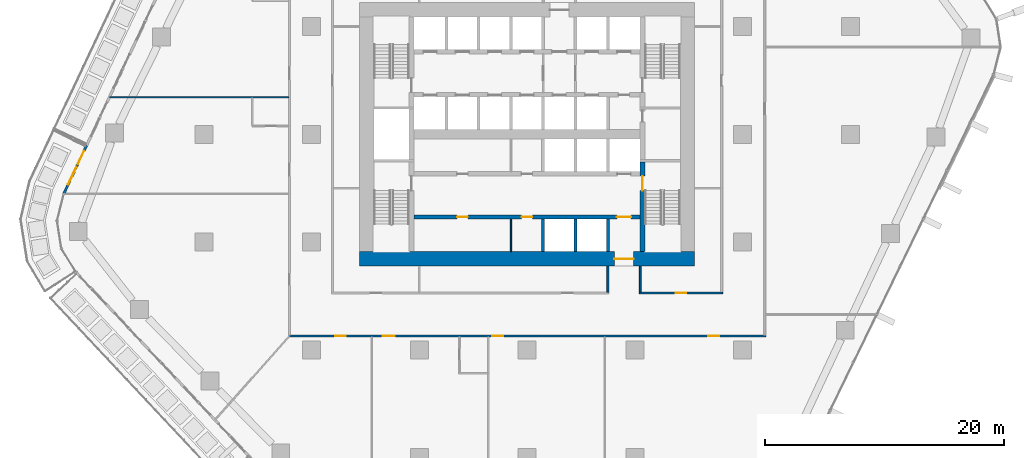
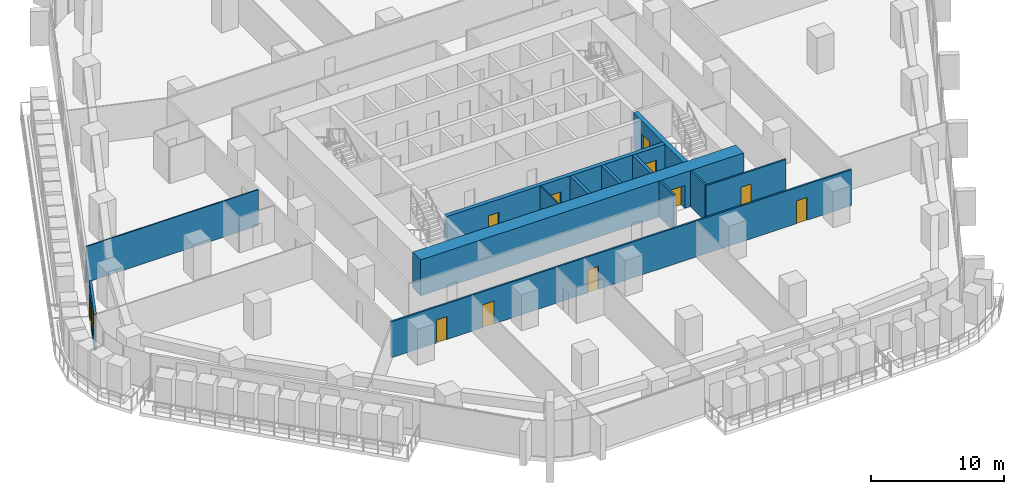
# One storey, part 14 of 25: 13 walls, 11 doors, 1 window, 12 openings.
"""IFC4 building model written with IfcOpenShell, lengths in metres."""

from ifc_helpers import new_model, si_unit, direction, frame, frame_2d, origin, place, context, subcontext, project, spatial, rectangle, extrude, material, layer, layer_set, type_object, element, fill, save


model = new_model("IFC4")

# Units and contexts
model_context = context("Model", 3, precision=1e-05, world=origin(), true_north=direction((0.0, 1.0)))
body_context = subcontext(model_context, "Body", "Model", "MODEL_VIEW")
ifc_project = project(units=[si_unit("LENGTHUNIT", "METRE"), si_unit("AREAUNIT", "SQUARE_METRE"), si_unit("VOLUMEUNIT", "CUBIC_METRE"), si_unit("PLANEANGLEUNIT", "RADIAN"), si_unit("MASSUNIT", "GRAM", prefix="KILO")], contexts=[model_context])

# Site, building, storey
site_placement = place(None, origin())
site = spatial("IfcSite", under=ifc_project, at=site_placement, CompositionType="ELEMENT")
building_placement = place(site_placement, origin())
building = spatial("IfcBuilding", under=site, at=building_placement, Name="Dongbaek Canopy Tower", CompositionType="ELEMENT")
storey_placement = place(building_placement, frame((0.0, 0.0, 77.300048828125)))
storey = spatial("IfcBuildingStorey", under=building, at=storey_placement, Name="L15", CompositionType="ELEMENT", Elevation=77.300048828125)

# Wall, openings, doors
ifc_material_1 = material(Name="Concrete C60/75", Category="concrete")
ifc_layer_1 = layer(ifc_material_1, 0.35009765625)
ifc_layer_set_1 = layer_set([ifc_layer_1], Name="Core lobby wall 350 Concrete C60/75")
wall_type_1 = type_object("IfcWallType", Name="Core lobby wall 350 Concrete C60/75", PredefinedType="SHEAR", material=ifc_layer_set_1)
wall_1_placement = place(storey_placement, frame((9.449951171875, -6.89990234375, 0.0), z_axis=(0.0, 0.0, 1.0), x_axis=(-1.0, 0.0, 0.0)))
wall_1 = element("IfcWall", 1, at=wall_1_placement, inside=storey, type_object=wall_type_1, Name="Core wall", PredefinedType="SHEAR", context=body_context, shape_type="SweptSolid", body=[
    extrude(rectangle(XDim=18.89990234375, YDim=0.35009765625, at=frame_2d((9.449951171875, 0.0))), origin(), (0.0, 0.0, 1.0), 3.300048828125),
])
opening_1_placement = place(wall_1_placement, frame((0.75, 0.0, 0.0)))
opening_1 = element("IfcOpeningElement", 2, at=opening_1_placement, cuts=wall_1, Name="Opening L15-D040", PredefinedType="OPENING", context=body_context, shape_type="SweptSolid", body=[
    extrude(rectangle(XDim=1.199951171875, YDim=2.10009765625, at=frame_2d((0.60009765625, 1.050048828125))), frame((0.0, 0.18505859375, 0.0), z_axis=(0.0, -1.0, 0.0), x_axis=(1.0, 0.0, 0.0)), (0.0, 0.0, 1.0), 0.3701171875),
])
opening_2_placement = place(wall_1_placement, frame((14.39990234375, 0.0, 0.0)))
opening_2 = element("IfcOpeningElement", 3, at=opening_2_placement, cuts=wall_1, Name="Opening L15-D043", PredefinedType="OPENING", context=body_context, shape_type="SweptSolid", body=[
    extrude(rectangle(XDim=0.89990234375, YDim=2.10009765625, at=frame_2d((0.449951171875, 1.050048828125))), frame((0.0, 0.18505859375, 0.0), z_axis=(0.0, -1.0, 0.0), x_axis=(1.0, 0.0, 0.0)), (0.0, 0.0, 1.0), 0.3701171875),
])
opening_3_placement = place(wall_1_placement, frame((9.0, 0.0, 0.0)))
opening_3 = element("IfcOpeningElement", 4, at=opening_3_placement, cuts=wall_1, Name="Opening L15-D044", PredefinedType="OPENING", context=body_context, shape_type="SweptSolid", body=[
    extrude(rectangle(XDim=0.89990234375, YDim=2.10009765625, at=frame_2d((0.449951171875, 1.050048828125))), frame((0.0, 0.18505859375, 0.0), z_axis=(0.0, -1.0, 0.0), x_axis=(1.0, 0.0, 0.0)), (0.0, 0.0, 1.0), 0.3701171875),
])
ifc_material_2 = material(Name="Steel", Category="steel")
door_type_1 = type_object("IfcDoorType", Name="Core room door 900 x 2100", OperationType="SINGLE_SWING_LEFT", PredefinedType="DOOR", material=ifc_material_2)
door_1_placement = place(opening_2_placement, origin())
door_1 = element("IfcDoor", 5, at=door_1_placement, inside=storey, type_object=door_type_1, Name="Door L15-D043", OperationType="SINGLE_SWING_RIGHT", OverallHeight=2.10009765625, OverallWidth=0.89990234375, PredefinedType="DOOR", context=body_context, shape_type="SweptSolid", body=[
    extrude(rectangle(XDim=0.89990234375, YDim=2.10009765625, at=frame_2d((0.449951171875, 1.050048828125))), frame((0.0, 0.02490234375, 0.0), z_axis=(0.0, -1.0, 0.0), x_axis=(1.0, 0.0, 0.0)), (0.0, 0.0, 1.0), 0.050048828125),
])
fill(opening_2, door_1)
door_2_placement = place(opening_3_placement, origin())
door_2 = element("IfcDoor", 6, at=door_2_placement, inside=storey, type_object=door_type_1, Name="Door L15-D044", OperationType="SINGLE_SWING_LEFT", OverallHeight=2.10009765625, OverallWidth=0.89990234375, PredefinedType="DOOR", context=body_context, shape_type="SweptSolid", body=[
    extrude(rectangle(XDim=0.89990234375, YDim=2.10009765625, at=frame_2d((0.449951171875, 1.050048828125))), frame((0.0, 0.02490234375, 0.0), z_axis=(0.0, -1.0, 0.0), x_axis=(1.0, 0.0, 0.0)), (0.0, 0.0, 1.0), 0.050048828125),
])
fill(opening_3, door_2)
ifc_material_3 = material(Name="Steel", Category="steel")
door_type_2 = type_object("IfcDoorType", Name="Fire lobby door 1200 x 2100", OperationType="SINGLE_SWING_LEFT", PredefinedType="DOOR", material=ifc_material_3)
door_3_placement = place(opening_1_placement, origin())
door_3 = element("IfcDoor", 7, at=door_3_placement, inside=storey, type_object=door_type_2, Name="Door L15-D040", OperationType="SINGLE_SWING_LEFT", OverallHeight=2.10009765625, OverallWidth=1.199951171875, PredefinedType="DOOR", context=body_context, shape_type="SweptSolid", body=[
    extrude(rectangle(XDim=1.199951171875, YDim=2.10009765625, at=frame_2d((0.60009765625, 1.050048828125))), frame((0.0, 0.02490234375, 0.0), z_axis=(0.0, -1.0, 0.0), x_axis=(1.0, 0.0, 0.0)), (0.0, 0.0, 1.0), 0.050048828125),
])
fill(opening_1, door_3)

# Wall, opening, door
ifc_material_4 = material(Name="Concrete C60/75", Category="concrete")
ifc_layer_2 = layer(ifc_material_4, 1.199951171875)
ifc_layer_set_2 = layer_set([ifc_layer_2], Name="Core outer wall 1200 Concrete C60/75")
wall_type_2 = type_object("IfcWallType", Name="Core outer wall 1200 Concrete C60/75", PredefinedType="SHEAR", material=ifc_layer_set_2)
wall_2_placement = place(storey_placement, frame((14.0, -10.39990234375, 0.0), z_axis=(0.0, 0.0, 1.0), x_axis=(-1.0, 0.0, 0.0)))
wall_2 = element("IfcWall", 8, at=wall_2_placement, inside=storey, type_object=wall_type_2, Name="Core wall", PredefinedType="SHEAR", context=body_context, shape_type="SweptSolid", body=[
    extrude(rectangle(XDim=28.0, YDim=1.199951171875, at=frame_2d((14.0, 0.0))), origin(), (0.0, 0.0, 1.0), 3.300048828125),
])
opening_4_placement = place(wall_2_placement, frame((5.10009765625, 0.0, 0.0)))
opening_4 = element("IfcOpeningElement", 9, at=opening_4_placement, cuts=wall_2, Name="Opening L15-D039", PredefinedType="OPENING", context=body_context, shape_type="SweptSolid", body=[
    extrude(rectangle(XDim=1.60009765625, YDim=2.10009765625, at=frame_2d((0.800048828125, 1.050048828125))), frame((0.0, 0.60986328125, 0.0), z_axis=(0.0, -1.0, 0.0), x_axis=(1.0, 0.0, 0.0)), (0.0, 0.0, 1.0), 1.219970703125),
])
ifc_material_5 = material(Name="Steel", Category="steel")
door_type_3 = type_object("IfcDoorType", Name="Core exit door 1600 x 2100", OperationType="DOUBLE_DOOR_SINGLE_SWING", PredefinedType="DOOR", material=ifc_material_5)
door_4_placement = place(opening_4_placement, origin())
door_4 = element("IfcDoor", 10, at=door_4_placement, inside=storey, type_object=door_type_3, Name="Core exit door", OperationType="DOUBLE_DOOR_SINGLE_SWING", OverallHeight=2.10009765625, OverallWidth=1.60009765625, PredefinedType="DOOR", context=body_context, shape_type="SweptSolid", body=[
    extrude(rectangle(XDim=1.60009765625, YDim=2.10009765625, at=frame_2d((0.800048828125, 1.050048828125))), frame((0.0, 0.02490234375, 0.0), z_axis=(0.0, -1.0, 0.0), x_axis=(1.0, 0.0, 0.0)), (0.0, 0.0, 1.0), 0.050048828125),
])
fill(opening_4, door_4)

# Wall, openings, doors
ifc_material_6 = material(Name="Gypsum board partition, steel stud, 2 x 15 mm fire board", Category="steel")
ifc_layer_3 = layer(ifc_material_6, 0.14990234375)
ifc_layer_set_3 = layer_set([ifc_layer_3], Name="Fire-rated partition 150 gypsum board")
wall_type_3 = type_object("IfcWallType", Name="Fire-rated partition 150 gypsum board", PredefinedType="PARTITIONING", material=ifc_layer_set_3)
wall_3_placement = place(storey_placement, frame((19.925048828125, -16.85009765625, 0.0), z_axis=(0.0, 0.0, 1.0), x_axis=(-1.0, 0.0, 0.0)))
wall_3 = element("IfcWall", 11, at=wall_3_placement, inside=storey, type_object=wall_type_3, Name="Corridor partition", PredefinedType="PARTITIONING", context=body_context, shape_type="SweptSolid", body=[
    extrude(rectangle(XDim=39.85009765625, YDim=0.14990234375, at=frame_2d((19.925048828125, 0.0))), origin(), (0.0, 0.0, 1.0), 3.300048828125),
])
opening_5_placement = place(wall_3_placement, frame((35.059814453125, 0.0, 0.0)))
opening_5 = element("IfcOpeningElement", 12, at=opening_5_placement, cuts=wall_3, Name="Opening L15-D004", PredefinedType="OPENING", context=body_context, shape_type="SweptSolid", body=[
    extrude(rectangle(XDim=0.89990234375, YDim=2.10009765625, at=frame_2d((0.449951171875, 1.050048828125))), frame((0.0, 0.0849609375, 0.0), z_axis=(0.0, -1.0, 0.0), x_axis=(1.0, 0.0, 0.0)), (0.0, 0.0, 1.0), 0.169921875),
])
opening_6_placement = place(wall_3_placement, frame((30.96728515625, 0.0, 0.0)))
opening_6 = element("IfcOpeningElement", 13, at=opening_6_placement, cuts=wall_3, Name="Opening L15-D006", PredefinedType="OPENING", context=body_context, shape_type="SweptSolid", body=[
    extrude(rectangle(XDim=1.0, YDim=2.10009765625, at=frame_2d((0.5, 1.050048828125))), frame((0.0, 0.0849609375, 0.0), z_axis=(0.0, -1.0, 0.0), x_axis=(1.0, 0.0, 0.0)), (0.0, 0.0, 1.0), 0.169921875),
])
opening_7_placement = place(wall_3_placement, frame((21.93359375, 0.0, 0.0)))
opening_7 = element("IfcOpeningElement", 14, at=opening_7_placement, cuts=wall_3, Name="Opening L15-D007", PredefinedType="OPENING", context=body_context, shape_type="SweptSolid", body=[
    extrude(rectangle(XDim=0.89990234375, YDim=2.10009765625, at=frame_2d((0.449951171875, 1.050048828125))), frame((0.0, 0.0849609375, 0.0), z_axis=(0.0, -1.0, 0.0), x_axis=(1.0, 0.0, 0.0)), (0.0, 0.0, 1.0), 0.169921875),
])
opening_8_placement = place(wall_3_placement, frame((3.878662109375, 0.0, 0.0)))
opening_8 = element("IfcOpeningElement", 15, at=opening_8_placement, cuts=wall_3, Name="Opening L15-D008", PredefinedType="OPENING", context=body_context, shape_type="SweptSolid", body=[
    extrude(rectangle(XDim=0.89990234375, YDim=2.10009765625, at=frame_2d((0.449951171875, 1.050048828125))), frame((0.0, 0.0849609375, 0.0), z_axis=(0.0, -1.0, 0.0), x_axis=(1.0, 0.0, 0.0)), (0.0, 0.0, 1.0), 0.169921875),
])
ifc_material_7 = material(Name="Timber veneered door leaf", Category="wood")
door_type_4 = type_object("IfcDoorType", Name="Guest room door 1000 x 2100", OperationType="SINGLE_SWING_LEFT", PredefinedType="DOOR", material=ifc_material_7)
door_5_placement = place(opening_6_placement, origin())
door_5 = element("IfcDoor", 16, at=door_5_placement, inside=storey, type_object=door_type_4, Name="Door L15-D006", OperationType="SINGLE_SWING_LEFT", OverallHeight=2.10009765625, OverallWidth=1.0, PredefinedType="DOOR", context=body_context, shape_type="SweptSolid", body=[
    extrude(rectangle(XDim=1.0, YDim=2.10009765625, at=frame_2d((0.5, 1.050048828125))), frame((0.0, 0.02490234375, 0.0), z_axis=(0.0, -1.0, 0.0), x_axis=(1.0, 0.0, 0.0)), (0.0, 0.0, 1.0), 0.050048828125),
])
fill(opening_6, door_5)
ifc_material_8 = material(Name="Timber veneered door leaf", Category="wood")
door_type_5 = type_object("IfcDoorType", Name="Room door 900 x 2100", OperationType="SINGLE_SWING_LEFT", PredefinedType="DOOR", material=ifc_material_8)
door_6_placement = place(opening_5_placement, origin())
door_6 = element("IfcDoor", 17, at=door_6_placement, inside=storey, type_object=door_type_5, Name="Door L15-D004", OperationType="SINGLE_SWING_RIGHT", OverallHeight=2.10009765625, OverallWidth=0.89990234375, PredefinedType="DOOR", context=body_context, shape_type="SweptSolid", body=[
    extrude(rectangle(XDim=0.89990234375, YDim=2.10009765625, at=frame_2d((0.449951171875, 1.050048828125))), frame((0.0, 0.02490234375, 0.0), z_axis=(0.0, -1.0, 0.0), x_axis=(1.0, 0.0, 0.0)), (0.0, 0.0, 1.0), 0.050048828125),
])
fill(opening_5, door_6)
door_7_placement = place(opening_7_placement, origin())
door_7 = element("IfcDoor", 18, at=door_7_placement, inside=storey, type_object=door_type_5, Name="Door L15-D007", OperationType="SINGLE_SWING_RIGHT", OverallHeight=2.10009765625, OverallWidth=0.89990234375, PredefinedType="DOOR", context=body_context, shape_type="SweptSolid", body=[
    extrude(rectangle(XDim=0.89990234375, YDim=2.10009765625, at=frame_2d((0.449951171875, 1.050048828125))), frame((0.0, 0.02490234375, 0.0), z_axis=(0.0, -1.0, 0.0), x_axis=(1.0, 0.0, 0.0)), (0.0, 0.0, 1.0), 0.050048828125),
])
fill(opening_7, door_7)
door_8_placement = place(opening_8_placement, origin())
door_8 = element("IfcDoor", 19, at=door_8_placement, inside=storey, type_object=door_type_5, Name="Door L15-D008", OperationType="SINGLE_SWING_LEFT", OverallHeight=2.10009765625, OverallWidth=0.89990234375, PredefinedType="DOOR", context=body_context, shape_type="SweptSolid", body=[
    extrude(rectangle(XDim=0.89990234375, YDim=2.10009765625, at=frame_2d((0.449951171875, 1.050048828125))), frame((0.0, 0.02490234375, 0.0), z_axis=(0.0, -1.0, 0.0), x_axis=(1.0, 0.0, 0.0)), (0.0, 0.0, 1.0), 0.050048828125),
])
fill(opening_8, door_8)

# Wall, opening, door
wall_4_placement = place(storey_placement, frame((9.375, -13.25, 0.0), z_axis=(0.0, 0.0, 1.0), x_axis=(1.0, 0.0, 0.0)))
wall_4 = element("IfcWall", 20, at=wall_4_placement, inside=storey, type_object=wall_type_3, Name="Corridor partition", PredefinedType="PARTITIONING", context=body_context, shape_type="SweptSolid", body=[
    extrude(rectangle(XDim=6.949951171875, YDim=0.14990234375, at=frame_2d((3.47509765625, 0.0))), origin(), (0.0, 0.0, 1.0), 3.300048828125),
])
opening_9_placement = place(wall_4_placement, frame((3.02490234375, 0.0, 0.0)))
opening_9 = element("IfcOpeningElement", 21, at=opening_9_placement, cuts=wall_4, Name="Opening L15-D016", PredefinedType="OPENING", context=body_context, shape_type="SweptSolid", body=[
    extrude(rectangle(XDim=0.89990234375, YDim=2.10009765625, at=frame_2d((0.449951171875, 1.050048828125))), frame((0.0, 0.0849609375, 0.0), z_axis=(0.0, -1.0, 0.0), x_axis=(1.0, 0.0, 0.0)), (0.0, 0.0, 1.0), 0.169921875),
])
door_9_placement = place(opening_9_placement, origin())
door_9 = element("IfcDoor", 22, at=door_9_placement, inside=storey, type_object=door_type_5, Name="Door L15-D016", OperationType="SINGLE_SWING_RIGHT", OverallHeight=2.10009765625, OverallWidth=0.89990234375, PredefinedType="DOOR", context=body_context, shape_type="SweptSolid", body=[
    extrude(rectangle(XDim=0.89990234375, YDim=2.10009765625, at=frame_2d((0.449951171875, 1.050048828125))), frame((0.0, 0.02490234375, 0.0), z_axis=(0.0, -1.0, 0.0), x_axis=(1.0, 0.0, 0.0)), (0.0, 0.0, 1.0), 0.050048828125),
])
fill(opening_9, door_9)

# Walls
for number, where, z_axis, x_axis, name in (
    (23, (9.449951171875, -13.175048828125, 0.0), (0.0, 0.0, 1.0), (0.0, 1.0, 0.0), "Corridor partition"),
    (24, (6.75, -13.175048828125, 0.0), (0.0, 0.0, 1.0), (0.0, 1.0, 0.0), "Corridor partition"),
):
    element("IfcWall", number, at=place(storey_placement, frame(where, z_axis=z_axis, x_axis=x_axis)), inside=storey, type_object=wall_type_3, Name=name, PredefinedType="PARTITIONING", context=body_context, shape_type="SweptSolid", body=[
        extrude(rectangle(XDim=2.175048828125, YDim=0.14990234375, at=frame_2d((1.08740234375, 0.0))), origin(), (0.0, 0.0, 1.0), 3.300048828125),
    ])
ifc_material_9 = material(Name="Concrete C40/50", Category="concrete")
ifc_layer_4 = layer(ifc_material_9, 0.25)
ifc_layer_set_4 = layer_set([ifc_layer_4], Name="Lift shaft wall 250 Concrete C40/50")
wall_type_4 = type_object("IfcWallType", Name="Lift shaft wall 250 Concrete C40/50", PredefinedType="SOLIDWALL", material=ifc_layer_set_4)
for number, where, z_axis, x_axis, name in (
    (25, (6.75, -9.800048828125, 0.0), (0.0, 0.0, 1.0), (0.0, 1.0, 0.0), "Lift shaft wall"),
    (26, (4.050048828125, -9.800048828125, 0.0), (0.0, 0.0, 1.0), (0.0, 1.0, 0.0), "Lift shaft wall"),
    (27, (1.35009765625, -9.800048828125, 0.0), (0.0, 0.0, 1.0), (0.0, 1.0, 0.0), "Lift shaft wall"),
):
    element("IfcWall", number, at=place(storey_placement, frame(where, z_axis=z_axis, x_axis=x_axis)), inside=storey, type_object=wall_type_4, Name=name, PredefinedType="SOLIDWALL", context=body_context, shape_type="SweptSolid", body=[
        extrude(rectangle(XDim=2.72509765625, YDim=0.25, at=frame_2d((1.362548828125, 0.0))), origin(), (0.0, 0.0, 1.0), 3.300048828125),
    ])
ifc_material_10 = material(Name="Gypsum board partition, steel stud, 2 x 12.5 mm board", Category="steel")
ifc_layer_5 = layer(ifc_material_10, 0.10009765625)
ifc_layer_set_5 = layer_set([ifc_layer_5], Name="Partition 100 gypsum board")
wall_type_5 = type_object("IfcWallType", Name="Partition 100 gypsum board", PredefinedType="PARTITIONING", material=ifc_layer_set_5)
wall_5_placement = place(storey_placement, frame((-34.86767578125, 3.097900390625, 0.0), z_axis=(0.0, 0.0, 1.0), x_axis=(1.0, 0.0, 0.0)))
element("IfcWall", 28, at=wall_5_placement, inside=storey, type_object=wall_type_5, Name="Partition", PredefinedType="PARTITIONING", context=body_context, shape_type="SweptSolid", body=[
    extrude(rectangle(XDim=14.942626953125, YDim=0.10009765625, at=frame_2d((7.47119140625, 0.0))), origin(), (0.0, 0.0, 1.0), 3.300048828125),
])
wall_6_placement = place(storey_placement, frame((-1.35009765625, -9.800048828125, 0.0), z_axis=(0.0, 0.0, 1.0), x_axis=(0.0, 1.0, 0.0)))
element("IfcWall", 29, at=wall_6_placement, inside=storey, type_object=wall_type_5, Name="Core partition", PredefinedType="PARTITIONING", context=body_context, shape_type="SweptSolid", body=[
    extrude(rectangle(XDim=2.72509765625, YDim=0.10009765625, at=frame_2d((1.362548828125, 0.0))), origin(), (0.0, 0.0, 1.0), 3.300048828125),
])

# Wall, opening, door
ifc_material_11 = material(Name="Concrete C60/75", Category="concrete")
ifc_layer_6 = layer(ifc_material_11, 0.39990234375)
ifc_layer_set_6 = layer_set([ifc_layer_6], Name="Stair wall 400 Concrete C60/75")
wall_type_6 = type_object("IfcWallType", Name="Stair wall 400 Concrete C60/75", PredefinedType="SHEAR", material=ifc_layer_set_6)
wall_7_placement = place(storey_placement, frame((9.64990234375, -2.300048828125, 0.0), z_axis=(0.0, 0.0, 1.0), x_axis=(0.0, -1.0, 0.0)))
wall_7 = element("IfcWall", 30, at=wall_7_placement, inside=storey, type_object=wall_type_6, Name="Stair wall", PredefinedType="SHEAR", context=body_context, shape_type="SweptSolid", body=[
    extrude(rectangle(XDim=7.5, YDim=0.39990234375, at=frame_2d((3.75, 0.0))), origin(), (0.0, 0.0, 1.0), 3.300048828125),
])
opening_10_placement = place(wall_7_placement, frame((1.199951171875, 0.0, 0.0)))
opening_10 = element("IfcOpeningElement", 31, at=opening_10_placement, cuts=wall_7, Name="Opening L15-D047", PredefinedType="OPENING", context=body_context, shape_type="SweptSolid", body=[
    extrude(rectangle(XDim=1.199951171875, YDim=2.10009765625, at=frame_2d((0.60009765625, 1.050048828125))), frame((0.0, 0.2099609375, 0.0), z_axis=(0.0, -1.0, 0.0), x_axis=(1.0, 0.0, 0.0)), (0.0, 0.0, 1.0), 0.419921875),
])
ifc_material_12 = material(Name="Steel", Category="steel")
door_type_6 = type_object("IfcDoorType", Name="Stair door 1200 x 2100", OperationType="SINGLE_SWING_LEFT", PredefinedType="DOOR", material=ifc_material_12)
door_10_placement = place(opening_10_placement, origin())
door_10 = element("IfcDoor", 32, at=door_10_placement, inside=storey, type_object=door_type_6, Name="Stair B door", OperationType="SINGLE_SWING_RIGHT", OverallHeight=2.10009765625, OverallWidth=1.199951171875, PredefinedType="DOOR", context=body_context, shape_type="SweptSolid", body=[
    extrude(rectangle(XDim=1.199951171875, YDim=2.10009765625, at=frame_2d((0.60009765625, 1.050048828125))), frame((0.0, 0.02490234375, 0.0), z_axis=(0.0, -1.0, 0.0), x_axis=(1.0, 0.0, 0.0)), (0.0, 0.0, 1.0), 0.050048828125),
])
fill(opening_10, door_10)

# Wall, openings, door, window
ifc_material_13 = material(Name="Aluminium window wall", Category="aluminium")
ifc_layer_7 = layer(ifc_material_13, 0.199951171875)
ifc_layer_set_7 = layer_set([ifc_layer_7], Name="Window wall 200")
wall_type_7 = type_object("IfcWallType", Name="Window wall 200", PredefinedType="SOLIDWALL", material=ifc_layer_set_7)
wall_8_placement = place(storey_placement, frame((-36.7939453125, -0.9326171875, 0.0), z_axis=(0.0, 0.0, 1.0), x_axis=(-0.427189555154, -0.904162089433, 0.0)))
wall_8 = element("IfcWall", 33, at=wall_8_placement, inside=storey, type_object=wall_type_7, Name="Window wall L15 6", PredefinedType="SOLIDWALL", context=body_context, shape_type="SweptSolid", body=[
    extrude(rectangle(XDim=4.447998046875, YDim=0.199951171875, at=frame_2d((2.22412109375, 0.0))), origin(), (0.0, 0.0, 1.0), 3.300048828125),
])
opening_11_placement = place(wall_8_placement, frame((2.0, 0.0, 0.60009765625)))
opening_11 = element("IfcOpeningElement", 34, at=opening_11_placement, cuts=wall_8, Name="Opening W1", PredefinedType="OPENING", context=body_context, shape_type="SweptSolid", body=[
    extrude(rectangle(XDim=1.60009765625, YDim=2.39990234375, at=frame_2d((0.800048828125, 1.199951171875))), frame((0.0, 0.10986328125, 0.0), z_axis=(0.0, -1.0, 0.0), x_axis=(1.0, 0.0, 0.0)), (0.0, 0.0, 1.0), 0.219970703125),
])
opening_12_placement = place(wall_8_placement, frame((0.5, 0.0, 0.0)))
opening_12 = element("IfcOpeningElement", 35, at=opening_12_placement, cuts=wall_8, Name="Opening L15-B12", PredefinedType="OPENING", context=body_context, shape_type="SweptSolid", body=[
    extrude(rectangle(XDim=1.199951171875, YDim=2.39990234375, at=frame_2d((0.60009765625, 1.199951171875))), frame((0.0, 0.10986328125, 0.0), z_axis=(0.0, -1.0, 0.0), x_axis=(1.0, 0.0, 0.0)), (0.0, 0.0, 1.0), 0.219970703125),
])
ifc_material_14 = material(Name="Clear glazing in aluminium frame", Category="aluminium")
door_type_7 = type_object("IfcDoorType", Name="Balcony door BD1 1200 x 2400", OperationType="SLIDING_TO_LEFT", PredefinedType="DOOR", material=ifc_material_14)
door_11_placement = place(opening_12_placement, origin())
door_11 = element("IfcDoor", 36, at=door_11_placement, inside=storey, type_object=door_type_7, Name="Balcony door L15-B12", OperationType="SLIDING_TO_LEFT", OverallHeight=2.39990234375, OverallWidth=1.199951171875, PredefinedType="DOOR", context=body_context, shape_type="SweptSolid", body=[
    extrude(rectangle(XDim=1.199951171875, YDim=2.39990234375, at=frame_2d((0.60009765625, 1.199951171875))), frame((0.0, 0.02490234375, 0.0), z_axis=(0.0, -1.0, 0.0), x_axis=(1.0, 0.0, 0.0)), (0.0, 0.0, 1.0), 0.050048828125),
])
fill(opening_12, door_11)
ifc_material_15 = material(Name="Clear glazing in aluminium frame", Category="aluminium")
window_type = type_object("IfcWindowType", Name="Window W1 1600 x 2400", PartitioningType="SINGLE_PANEL", PredefinedType="WINDOW", material=ifc_material_15)
window_placement = place(opening_11_placement, origin())
window = element("IfcWindow", 37, at=window_placement, inside=storey, type_object=window_type, Name="Window L15 6.1", OverallHeight=2.39990234375, OverallWidth=1.60009765625, PartitioningType="SINGLE_PANEL", PredefinedType="WINDOW", context=body_context, shape_type="SweptSolid", body=[
    extrude(rectangle(XDim=1.60009765625, YDim=2.39990234375, at=frame_2d((0.800048828125, 1.199951171875))), frame((0.0, 0.030029296875, 0.0), z_axis=(0.0, -1.0, 0.0), x_axis=(1.0, 0.0, 0.0)), (0.0, 0.0, 1.0), 0.06005859375),
])
fill(opening_11, window)

save(model, "model.ifc")
